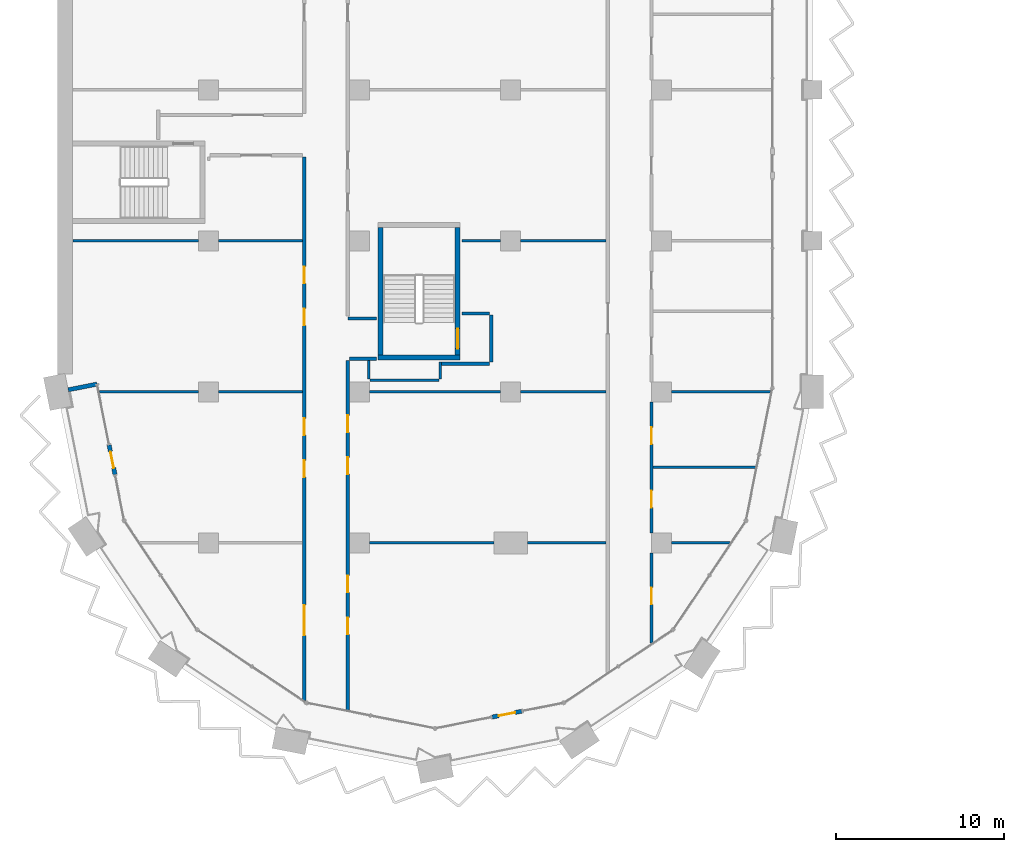
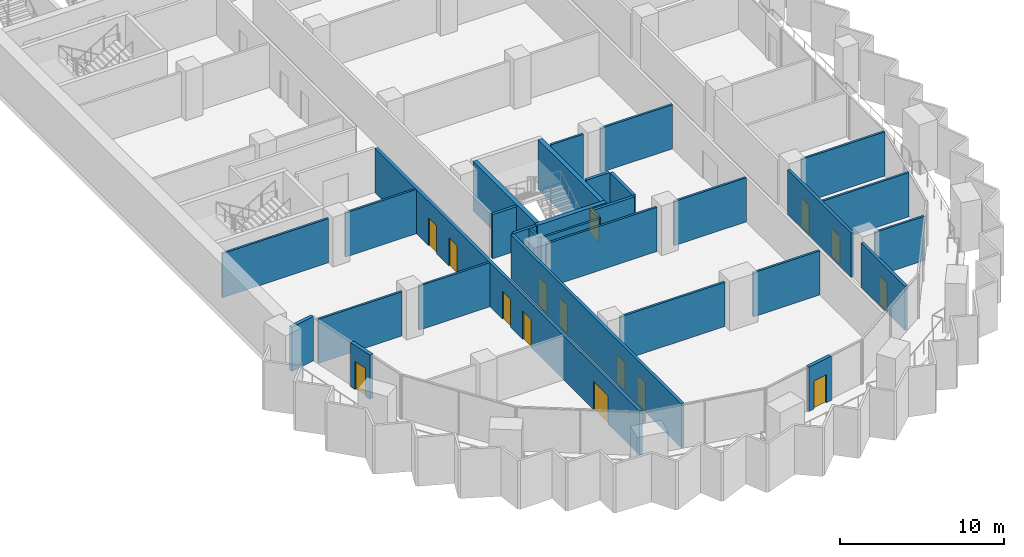
# One storey, part 8 of 22: 31 walls, 15 doors, 15 openings.
"""IFC4 building model written with IfcOpenShell, lengths in metres."""

from ifc_helpers import new_model, si_unit, direction, frame, frame_2d, origin, place, context, subcontext, project, spatial, rectangle, extrude, material, layer, layer_set, type_object, element, fill, save


model = new_model("IFC4")

# Units and contexts
model_context = context("Model", 3, precision=1e-05, world=origin(), true_north=direction((0.0, 1.0)))
body_context = subcontext(model_context, "Body", "Model", "MODEL_VIEW")
ifc_project = project(units=[si_unit("LENGTHUNIT", "METRE"), si_unit("AREAUNIT", "SQUARE_METRE"), si_unit("VOLUMEUNIT", "CUBIC_METRE"), si_unit("PLANEANGLEUNIT", "RADIAN"), si_unit("MASSUNIT", "GRAM", prefix="KILO")], contexts=[model_context])

# Site, building, storey
site_placement = place(None, origin())
site = spatial("IfcSite", under=ifc_project, at=site_placement, CompositionType="ELEMENT")
building_placement = place(site_placement, origin())
building = spatial("IfcBuilding", under=site, at=building_placement, Name="Hunhe Ridgeline Campus", CompositionType="ELEMENT")
storey_placement = place(building_placement, frame((0.0, 0.0, 133.800048828125)))
storey = spatial("IfcBuildingStorey", under=building, at=storey_placement, Name="L33", CompositionType="ELEMENT", Elevation=133.800048828125)

# Walls
ifc_material_1 = material(Name="Concrete C30", Category="concrete")
ifc_layer_1 = layer(ifc_material_1, 0.25)
ifc_layer_set_1 = layer_set([ifc_layer_1], Name="Corner return wall 250 Concrete C30")
wall_type_1 = type_object("IfcWallType", Name="Corner return wall 250 Concrete C30", PredefinedType="SOLIDWALL", material=ifc_layer_set_1)
wall_1_placement = place(storey_placement, frame((0.637451171875, 27.127685546875, 0.0), z_axis=(0.0, 0.0, 1.0), x_axis=(0.980842591884, 0.194801976239, 0.0)))
element("IfcWall", 1, at=wall_1_placement, inside=storey, type_object=wall_type_1, Name="Corner return wall 1", PredefinedType="SOLIDWALL", context=body_context, shape_type="SweptSolid", body=[
    extrude(rectangle(XDim=1.750732421875, YDim=0.25, at=frame_2d((0.87548828125, 0.0))), origin(), (0.0, 0.0, 1.0), 3.300048828125),
])
ifc_material_2 = material(Name="Gypsum board partition")
ifc_layer_2 = layer(ifc_material_2, 0.199951171875)
ifc_layer_set_2 = layer_set([ifc_layer_2], Name="Corridor partition 200 gypsum board on steel studs")
wall_type_2 = type_object("IfcWallType", Name="Corridor partition 200 gypsum board on steel studs", PredefinedType="PARTITIONING", material=ifc_layer_set_2)
wall_2_placement = place(storey_placement, frame((25.75, 28.675048828125, 0.0), z_axis=(0.0, 0.0, 1.0), x_axis=(-1.0, 0.0, 0.0)))
element("IfcWall", 2, at=wall_2_placement, inside=storey, type_object=wall_type_2, Name="F-L33-wall-013", PredefinedType="PARTITIONING", context=body_context, shape_type="SweptSolid", body=[
    extrude(rectangle(XDim=2.875, YDim=0.199951171875, at=frame_2d((1.4375, 0.0))), origin(), (0.0, 0.0, 1.0), 3.300048828125),
])
wall_3_placement = place(storey_placement, frame((18.99609375, 28.97509765625, 0.0), z_axis=(0.0, 0.0, 1.0), x_axis=(-1.0, 0.0, 0.0)))
element("IfcWall", 3, at=wall_3_placement, inside=storey, type_object=wall_type_2, Name="F-L33-wall-014", PredefinedType="PARTITIONING", context=body_context, shape_type="SweptSolid", body=[
    extrude(rectangle(XDim=1.59619140625, YDim=0.199951171875, at=frame_2d((0.798095703125, 0.0))), origin(), (0.0, 0.0, 1.0), 3.300048828125),
])
wall_4_placement = place(storey_placement, frame((17.300048828125, 31.375, 0.0), z_axis=(0.0, 0.0, 1.0), x_axis=(1.0, 0.0, 0.0)))
element("IfcWall", 4, at=wall_4_placement, inside=storey, type_object=wall_type_2, Name="F-L33-wall-015", PredefinedType="PARTITIONING", context=body_context, shape_type="SweptSolid", body=[
    extrude(rectangle(XDim=1.696044921875, YDim=0.199951171875, at=frame_2d((0.84814453125, 0.0))), origin(), (0.0, 0.0, 1.0), 3.300048828125),
])
wall_5_placement = place(storey_placement, frame((24.10400390625, 31.675048828125, 0.0), z_axis=(0.0, 0.0, 1.0), x_axis=(1.0, 0.0, 0.0)))
element("IfcWall", 5, at=wall_5_placement, inside=storey, type_object=wall_type_2, Name="F-L33-wall-016", PredefinedType="PARTITIONING", context=body_context, shape_type="SweptSolid", body=[
    extrude(rectangle(XDim=1.64599609375, YDim=0.199951171875, at=frame_2d((0.822998046875, 0.0))), origin(), (0.0, 0.0, 1.0), 3.300048828125),
])

# Wall, openings, doors
wall_6_placement = place(storey_placement, frame((14.699951171875, 8.623779296875, 0.0), z_axis=(0.0, 0.0, 1.0), x_axis=(0.0, 1.0, 0.0)))
wall_6 = element("IfcWall", 6, at=wall_6_placement, inside=storey, type_object=wall_type_2, Name="F-L33-wall-061", PredefinedType="PARTITIONING", context=body_context, shape_type="SweptSolid", body=[
    extrude(rectangle(XDim=32.376220703125, YDim=0.199951171875, at=frame_2d((16.18798828125, 0.0))), origin(), (0.0, 0.0, 1.0), 3.300048828125),
])
opening_1_placement = place(wall_6_placement, frame((3.86865234375, 0.0, 0.0)))
opening_1 = element("IfcOpeningElement", 7, at=opening_1_placement, cuts=wall_6, Name="Opening RD2-002", PredefinedType="OPENING", context=body_context, shape_type="SweptSolid", body=[
    extrude(rectangle(XDim=1.800048828125, YDim=2.10009765625, at=frame_2d((0.89990234375, 1.050048828125))), frame((0.0, 0.10009765625, 0.0), z_axis=(0.0, -1.0, 0.0), x_axis=(1.0, 0.0, 0.0)), (0.0, 0.0, 1.0), 0.199951171875),
])
opening_2_placement = place(wall_6_placement, frame((13.3037109375, 0.0, 0.0)))
opening_2 = element("IfcOpeningElement", 8, at=opening_2_placement, cuts=wall_6, Name="Opening RD1-006", PredefinedType="OPENING", context=body_context, shape_type="SweptSolid", body=[
    extrude(rectangle(XDim=1.0, YDim=2.10009765625, at=frame_2d((0.5, 1.050048828125))), frame((0.0, 0.10009765625, 0.0), z_axis=(0.0, -1.0, 0.0), x_axis=(1.0, 0.0, 0.0)), (0.0, 0.0, 1.0), 0.199951171875),
])
opening_3_placement = place(wall_6_placement, frame((15.8037109375, 0.0, 0.0)))
opening_3 = element("IfcOpeningElement", 9, at=opening_3_placement, cuts=wall_6, Name="Opening RD1-009", PredefinedType="OPENING", context=body_context, shape_type="SweptSolid", body=[
    extrude(rectangle(XDim=1.0, YDim=2.10009765625, at=frame_2d((0.5, 1.050048828125))), frame((0.0, 0.10009765625, 0.0), z_axis=(0.0, -1.0, 0.0), x_axis=(1.0, 0.0, 0.0)), (0.0, 0.0, 1.0), 0.199951171875),
])
opening_4_placement = place(wall_6_placement, frame((22.339111328125, 0.0, 0.0)))
opening_4 = element("IfcOpeningElement", 10, at=opening_4_placement, cuts=wall_6, Name="Opening RD1-013", PredefinedType="OPENING", context=body_context, shape_type="SweptSolid", body=[
    extrude(rectangle(XDim=1.0, YDim=2.10009765625, at=frame_2d((0.5, 1.050048828125))), frame((0.0, 0.10009765625, 0.0), z_axis=(0.0, -1.0, 0.0), x_axis=(1.0, 0.0, 0.0)), (0.0, 0.0, 1.0), 0.199951171875),
])
opening_5_placement = place(wall_6_placement, frame((24.839111328125, 0.0, 0.0)))
opening_5 = element("IfcOpeningElement", 11, at=opening_5_placement, cuts=wall_6, Name="Opening RD1-015", PredefinedType="OPENING", context=body_context, shape_type="SweptSolid", body=[
    extrude(rectangle(XDim=1.0, YDim=2.10009765625, at=frame_2d((0.5, 1.050048828125))), frame((0.0, 0.10009765625, 0.0), z_axis=(0.0, -1.0, 0.0), x_axis=(1.0, 0.0, 0.0)), (0.0, 0.0, 1.0), 0.199951171875),
])
ifc_material_3 = material(Name="Timber door leaf", Category="wood")
door_type_1 = type_object("IfcDoorType", Name="Double fire door 1800x2100 timber FD60", OperationType="DOUBLE_DOOR_SINGLE_SWING", PredefinedType="DOOR", material=ifc_material_3)
door_1_placement = place(opening_1_placement, origin())
door_1 = element("IfcDoor", 12, at=door_1_placement, inside=storey, type_object=door_type_1, Name="F-L33-door-002", OperationType="DOUBLE_DOOR_SINGLE_SWING", OverallHeight=2.10009765625, OverallWidth=1.800048828125, PredefinedType="DOOR", context=body_context, shape_type="SweptSolid", body=[
    extrude(rectangle(XDim=1.800048828125, YDim=2.10009765625, at=frame_2d((0.89990234375, 1.050048828125))), frame((0.0, 0.02490234375, 0.0), z_axis=(0.0, -1.0, 0.0), x_axis=(1.0, 0.0, 0.0)), (0.0, 0.0, 1.0), 0.050048828125),
])
fill(opening_1, door_1)
door_type_2 = type_object("IfcDoorType", Name="Single fire door 1000x2100 timber FD60", OperationType="NOTDEFINED", PredefinedType="DOOR", material=ifc_material_3)
door_2_placement = place(opening_2_placement, frame((1.0, 0.0, 0.0), z_axis=(0.0, 0.0, 1.0), x_axis=(-1.0, 0.0, 0.0)))
door_2 = element("IfcDoor", 13, at=door_2_placement, inside=storey, type_object=door_type_2, Name="F-L33-door-006", OperationType="SINGLE_SWING_LEFT", OverallHeight=2.10009765625, OverallWidth=1.0, PredefinedType="DOOR", context=body_context, shape_type="SweptSolid", body=[
    extrude(rectangle(XDim=1.0, YDim=2.10009765625, at=frame_2d((0.5, 1.050048828125))), frame((0.0, 0.02490234375, 0.0), z_axis=(0.0, -1.0, 0.0), x_axis=(1.0, 0.0, 0.0)), (0.0, 0.0, 1.0), 0.050048828125),
])
fill(opening_2, door_2)
door_3_placement = place(opening_3_placement, frame((1.0, 0.0, 0.0), z_axis=(0.0, 0.0, 1.0), x_axis=(-1.0, 0.0, 0.0)))
door_3 = element("IfcDoor", 14, at=door_3_placement, inside=storey, type_object=door_type_2, Name="F-L33-door-009", OperationType="SINGLE_SWING_LEFT", OverallHeight=2.10009765625, OverallWidth=1.0, PredefinedType="DOOR", context=body_context, shape_type="SweptSolid", body=[
    extrude(rectangle(XDim=1.0, YDim=2.10009765625, at=frame_2d((0.5, 1.050048828125))), frame((0.0, 0.02490234375, 0.0), z_axis=(0.0, -1.0, 0.0), x_axis=(1.0, 0.0, 0.0)), (0.0, 0.0, 1.0), 0.050048828125),
])
fill(opening_3, door_3)
door_4_placement = place(opening_4_placement, frame((1.0, 0.0, 0.0), z_axis=(0.0, 0.0, 1.0), x_axis=(-1.0, 0.0, 0.0)))
door_4 = element("IfcDoor", 15, at=door_4_placement, inside=storey, type_object=door_type_2, Name="F-L33-door-013", OperationType="SINGLE_SWING_LEFT", OverallHeight=2.10009765625, OverallWidth=1.0, PredefinedType="DOOR", context=body_context, shape_type="SweptSolid", body=[
    extrude(rectangle(XDim=1.0, YDim=2.10009765625, at=frame_2d((0.5, 1.050048828125))), frame((0.0, 0.02490234375, 0.0), z_axis=(0.0, -1.0, 0.0), x_axis=(1.0, 0.0, 0.0)), (0.0, 0.0, 1.0), 0.050048828125),
])
fill(opening_4, door_4)
door_5_placement = place(opening_5_placement, frame((1.0, 0.0, 0.0), z_axis=(0.0, 0.0, 1.0), x_axis=(-1.0, 0.0, 0.0)))
door_5 = element("IfcDoor", 16, at=door_5_placement, inside=storey, type_object=door_type_2, Name="F-L33-door-015", OperationType="SINGLE_SWING_LEFT", OverallHeight=2.10009765625, OverallWidth=1.0, PredefinedType="DOOR", context=body_context, shape_type="SweptSolid", body=[
    extrude(rectangle(XDim=1.0, YDim=2.10009765625, at=frame_2d((0.5, 1.050048828125))), frame((0.0, 0.02490234375, 0.0), z_axis=(0.0, -1.0, 0.0), x_axis=(1.0, 0.0, 0.0)), (0.0, 0.0, 1.0), 0.050048828125),
])
fill(opening_5, door_5)

wall_7_placement = place(storey_placement, frame((17.300048828125, 28.875, 0.0), z_axis=(0.0, 0.0, 1.0), x_axis=(0.0, -1.0, 0.0)))
wall_7 = element("IfcWall", 17, at=wall_7_placement, inside=storey, type_object=wall_type_2, Name="F-L33-wall-063", PredefinedType="PARTITIONING", context=body_context, shape_type="SweptSolid", body=[
    extrude(rectangle(XDim=20.837646484375, YDim=0.199951171875, at=frame_2d((10.4189453125, 0.0))), origin(), (0.0, 0.0, 1.0), 3.300048828125),
])
opening_6_placement = place(wall_7_placement, frame((15.31640625, 0.0, 0.0)))
opening_6 = element("IfcOpeningElement", 18, at=opening_6_placement, cuts=wall_7, Name="Opening RD1-001", PredefinedType="OPENING", context=body_context, shape_type="SweptSolid", body=[
    extrude(rectangle(XDim=1.0, YDim=2.10009765625, at=frame_2d((0.5, 1.050048828125))), frame((0.0, 0.10009765625, 0.0), z_axis=(0.0, -1.0, 0.0), x_axis=(1.0, 0.0, 0.0)), (0.0, 0.0, 1.0), 0.199951171875),
])
opening_7_placement = place(wall_7_placement, frame((12.81640625, 0.0, 0.0)))
opening_7 = element("IfcOpeningElement", 19, at=opening_7_placement, cuts=wall_7, Name="Opening RD1-004", PredefinedType="OPENING", context=body_context, shape_type="SweptSolid", body=[
    extrude(rectangle(XDim=1.0, YDim=2.10009765625, at=frame_2d((0.5, 1.050048828125))), frame((0.0, 0.10009765625, 0.0), z_axis=(0.0, -1.0, 0.0), x_axis=(1.0, 0.0, 0.0)), (0.0, 0.0, 1.0), 0.199951171875),
])
opening_8_placement = place(wall_7_placement, frame((5.7763671875, 0.0, 0.0)))
opening_8 = element("IfcOpeningElement", 20, at=opening_8_placement, cuts=wall_7, Name="Opening RD1-007", PredefinedType="OPENING", context=body_context, shape_type="SweptSolid", body=[
    extrude(rectangle(XDim=1.0, YDim=2.10009765625, at=frame_2d((0.5, 1.050048828125))), frame((0.0, 0.10009765625, 0.0), z_axis=(0.0, -1.0, 0.0), x_axis=(1.0, 0.0, 0.0)), (0.0, 0.0, 1.0), 0.199951171875),
])
opening_9_placement = place(wall_7_placement, frame((3.2763671875, 0.0, 0.0)))
opening_9 = element("IfcOpeningElement", 21, at=opening_9_placement, cuts=wall_7, Name="Opening RD1-010", PredefinedType="OPENING", context=body_context, shape_type="SweptSolid", body=[
    extrude(rectangle(XDim=1.0, YDim=2.10009765625, at=frame_2d((0.5, 1.050048828125))), frame((0.0, 0.10009765625, 0.0), z_axis=(0.0, -1.0, 0.0), x_axis=(1.0, 0.0, 0.0)), (0.0, 0.0, 1.0), 0.199951171875),
])
door_6_placement = place(opening_6_placement, frame((1.0, 0.0, 0.0), z_axis=(0.0, 0.0, 1.0), x_axis=(-1.0, 0.0, 0.0)))
door_6 = element("IfcDoor", 22, at=door_6_placement, inside=storey, type_object=door_type_2, Name="F-L33-door-001", OperationType="SINGLE_SWING_RIGHT", OverallHeight=2.10009765625, OverallWidth=1.0, PredefinedType="DOOR", context=body_context, shape_type="SweptSolid", body=[
    extrude(rectangle(XDim=1.0, YDim=2.10009765625, at=frame_2d((0.5, 1.050048828125))), frame((0.0, 0.02490234375, 0.0), z_axis=(0.0, -1.0, 0.0), x_axis=(1.0, 0.0, 0.0)), (0.0, 0.0, 1.0), 0.050048828125),
])
fill(opening_6, door_6)
door_7_placement = place(opening_7_placement, frame((1.0, 0.0, 0.0), z_axis=(0.0, 0.0, 1.0), x_axis=(-1.0, 0.0, 0.0)))
door_7 = element("IfcDoor", 23, at=door_7_placement, inside=storey, type_object=door_type_2, Name="F-L33-door-004", OperationType="SINGLE_SWING_RIGHT", OverallHeight=2.10009765625, OverallWidth=1.0, PredefinedType="DOOR", context=body_context, shape_type="SweptSolid", body=[
    extrude(rectangle(XDim=1.0, YDim=2.10009765625, at=frame_2d((0.5, 1.050048828125))), frame((0.0, 0.02490234375, 0.0), z_axis=(0.0, -1.0, 0.0), x_axis=(1.0, 0.0, 0.0)), (0.0, 0.0, 1.0), 0.050048828125),
])
fill(opening_7, door_7)
door_8_placement = place(opening_8_placement, frame((1.0, 0.0, 0.0), z_axis=(0.0, 0.0, 1.0), x_axis=(-1.0, 0.0, 0.0)))
door_8 = element("IfcDoor", 24, at=door_8_placement, inside=storey, type_object=door_type_2, Name="F-L33-door-007", OperationType="SINGLE_SWING_RIGHT", OverallHeight=2.10009765625, OverallWidth=1.0, PredefinedType="DOOR", context=body_context, shape_type="SweptSolid", body=[
    extrude(rectangle(XDim=1.0, YDim=2.10009765625, at=frame_2d((0.5, 1.050048828125))), frame((0.0, 0.02490234375, 0.0), z_axis=(0.0, -1.0, 0.0), x_axis=(1.0, 0.0, 0.0)), (0.0, 0.0, 1.0), 0.050048828125),
])
fill(opening_8, door_8)
door_9_placement = place(opening_9_placement, frame((1.0, 0.0, 0.0), z_axis=(0.0, 0.0, 1.0), x_axis=(-1.0, 0.0, 0.0)))
door_9 = element("IfcDoor", 25, at=door_9_placement, inside=storey, type_object=door_type_2, Name="F-L33-door-010", OperationType="SINGLE_SWING_RIGHT", OverallHeight=2.10009765625, OverallWidth=1.0, PredefinedType="DOOR", context=body_context, shape_type="SweptSolid", body=[
    extrude(rectangle(XDim=1.0, YDim=2.10009765625, at=frame_2d((0.5, 1.050048828125))), frame((0.0, 0.02490234375, 0.0), z_axis=(0.0, -1.0, 0.0), x_axis=(1.0, 0.0, 0.0)), (0.0, 0.0, 1.0), 0.050048828125),
])
fill(opening_9, door_9)

# Wall
wall_8_placement = place(storey_placement, frame((25.85009765625, 31.574951171875, 0.0), z_axis=(0.0, 0.0, 1.0), x_axis=(0.0, -1.0, 0.0)))
element("IfcWall", 26, at=wall_8_placement, inside=storey, type_object=wall_type_2, Name="F-L33-wall-067", PredefinedType="PARTITIONING", context=body_context, shape_type="SweptSolid", body=[
    extrude(rectangle(XDim=2.800048828125, YDim=0.199951171875, at=frame_2d((1.39990234375, 0.0))), origin(), (0.0, 0.0, 1.0), 3.300048828125),
])

# Wall, opening, door
wall_9_placement = place(storey_placement, frame((35.39990234375, 17.39990234375, 0.0), z_axis=(0.0, 0.0, 1.0), x_axis=(0.0, -1.0, 0.0)))
wall_9 = element("IfcWall", 27, at=wall_9_placement, inside=storey, type_object=wall_type_2, Name="F-L33-wall-069", PredefinedType="PARTITIONING", context=body_context, shape_type="SweptSolid", body=[
    extrude(rectangle(XDim=5.368408203125, YDim=0.199951171875, at=frame_2d((2.68408203125, 0.0))), origin(), (0.0, 0.0, 1.0), 3.300048828125),
])
opening_10_placement = place(wall_9_placement, frame((2.056396484375, 0.0, 0.0)))
opening_10 = element("IfcOpeningElement", 28, at=opening_10_placement, cuts=wall_9, Name="Opening RD1-003", PredefinedType="OPENING", context=body_context, shape_type="SweptSolid", body=[
    extrude(rectangle(XDim=1.0, YDim=2.10009765625, at=frame_2d((0.5, 1.050048828125))), frame((0.0, 0.10009765625, 0.0), z_axis=(0.0, -1.0, 0.0), x_axis=(1.0, 0.0, 0.0)), (0.0, 0.0, 1.0), 0.199951171875),
])
door_10_placement = place(opening_10_placement, origin())
door_10 = element("IfcDoor", 29, at=door_10_placement, inside=storey, type_object=door_type_2, Name="F-L33-door-003", OperationType="SINGLE_SWING_LEFT", OverallHeight=2.10009765625, OverallWidth=1.0, PredefinedType="DOOR", context=body_context, shape_type="SweptSolid", body=[
    extrude(rectangle(XDim=1.0, YDim=2.10009765625, at=frame_2d((0.5, 1.050048828125))), frame((0.0, 0.02490234375, 0.0), z_axis=(0.0, -1.0, 0.0), x_axis=(1.0, 0.0, 0.0)), (0.0, 0.0, 1.0), 0.050048828125),
])
fill(opening_10, door_10)

# Wall, openings, doors
wall_10_placement = place(storey_placement, frame((35.39990234375, 26.39990234375, 0.0), z_axis=(0.0, 0.0, 1.0), x_axis=(0.0, -1.0, 0.0)))
wall_10 = element("IfcWall", 30, at=wall_10_placement, inside=storey, type_object=wall_type_2, Name="F-L33-wall-070", PredefinedType="PARTITIONING", context=body_context, shape_type="SweptSolid", body=[
    extrude(rectangle(XDim=7.7998046875, YDim=0.199951171875, at=frame_2d((3.89990234375, 0.0))), origin(), (0.0, 0.0, 1.0), 3.300048828125),
])
opening_11_placement = place(wall_10_placement, frame((5.287109375, 0.0, 0.0)))
opening_11 = element("IfcOpeningElement", 31, at=opening_11_placement, cuts=wall_10, Name="Opening RD1-005", PredefinedType="OPENING", context=body_context, shape_type="SweptSolid", body=[
    extrude(rectangle(XDim=1.0, YDim=2.10009765625, at=frame_2d((0.5, 1.050048828125))), frame((0.0, 0.10009765625, 0.0), z_axis=(0.0, -1.0, 0.0), x_axis=(1.0, 0.0, 0.0)), (0.0, 0.0, 1.0), 0.199951171875),
])
opening_12_placement = place(wall_10_placement, frame((1.512939453125, 0.0, 0.0)))
opening_12 = element("IfcOpeningElement", 32, at=opening_12_placement, cuts=wall_10, Name="Opening RD1-008", PredefinedType="OPENING", context=body_context, shape_type="SweptSolid", body=[
    extrude(rectangle(XDim=1.0, YDim=2.10009765625, at=frame_2d((0.5, 1.050048828125))), frame((0.0, 0.10009765625, 0.0), z_axis=(0.0, -1.0, 0.0), x_axis=(1.0, 0.0, 0.0)), (0.0, 0.0, 1.0), 0.199951171875),
])
door_11_placement = place(opening_11_placement, origin())
door_11 = element("IfcDoor", 33, at=door_11_placement, inside=storey, type_object=door_type_2, Name="F-L33-door-005", OperationType="SINGLE_SWING_LEFT", OverallHeight=2.10009765625, OverallWidth=1.0, PredefinedType="DOOR", context=body_context, shape_type="SweptSolid", body=[
    extrude(rectangle(XDim=1.0, YDim=2.10009765625, at=frame_2d((0.5, 1.050048828125))), frame((0.0, 0.02490234375, 0.0), z_axis=(0.0, -1.0, 0.0), x_axis=(1.0, 0.0, 0.0)), (0.0, 0.0, 1.0), 0.050048828125),
])
fill(opening_11, door_11)
door_12_placement = place(opening_12_placement, origin())
door_12 = element("IfcDoor", 34, at=door_12_placement, inside=storey, type_object=door_type_2, Name="F-L33-door-008", OperationType="SINGLE_SWING_LEFT", OverallHeight=2.10009765625, OverallWidth=1.0, PredefinedType="DOOR", context=body_context, shape_type="SweptSolid", body=[
    extrude(rectangle(XDim=1.0, YDim=2.10009765625, at=frame_2d((0.5, 1.050048828125))), frame((0.0, 0.02490234375, 0.0), z_axis=(0.0, -1.0, 0.0), x_axis=(1.0, 0.0, 0.0)), (0.0, 0.0, 1.0), 0.050048828125),
])
fill(opening_12, door_12)

# Wall, opening, door
ifc_layer_3 = layer(ifc_material_1, 0.25)
ifc_layer_set_3 = layer_set([ifc_layer_3], Name="Loggia door pier wall 250 Concrete C30")
wall_type_3 = type_object("IfcWallType", Name="Loggia door pier wall 250 Concrete C30", PredefinedType="SOLIDWALL", material=ifc_layer_set_3)
wall_11_placement = place(storey_placement, frame((3.076904296875, 23.8388671875, 0.0), z_axis=(0.0, 0.0, 1.0), x_axis=(0.195046569833, -0.980793982239, 0.0)))
wall_11 = element("IfcWall", 35, at=wall_11_placement, inside=storey, type_object=wall_type_3, Name="Loggia door pier 1", PredefinedType="SOLIDWALL", context=body_context, shape_type="SweptSolid", body=[
    extrude(rectangle(XDim=1.800048828125, YDim=0.25, at=frame_2d((0.89990234375, 0.0))), origin(), (0.0, 0.0, 1.0), 3.300048828125),
])
opening_13_placement = place(wall_11_placement, frame((0.39990234375, 0.0, 0.0)))
opening_13 = element("IfcOpeningElement", 36, at=opening_13_placement, cuts=wall_11, Name="Opening BD301", PredefinedType="OPENING", context=body_context, shape_type="SweptSolid", body=[
    extrude(rectangle(XDim=1.0, YDim=2.10009765625, at=frame_2d((0.5, 1.050048828125))), frame((0.0, 0.125, 0.0), z_axis=(0.0, -1.0, 0.0), x_axis=(1.0, 0.0, 0.0)), (0.0, 0.0, 1.0), 0.25),
])
ifc_material_4 = material(Name="Aluminium 6063", Category="aluminium")
door_type_3 = type_object("IfcDoorType", Name="Loggia glazed door 1000x2100", OperationType="NOTDEFINED", PredefinedType="DOOR", material=ifc_material_4)
door_13_placement = place(opening_13_placement, frame((1.0, 0.0, 0.0), z_axis=(0.0, 0.0, 1.0), x_axis=(-1.0, 0.0, 0.0)))
door_13 = element("IfcDoor", 37, at=door_13_placement, inside=storey, type_object=door_type_3, Name="Loggia door BD301", OperationType="SINGLE_SWING_RIGHT", OverallHeight=2.10009765625, OverallWidth=1.0, PredefinedType="DOOR", context=body_context, shape_type="SweptSolid", body=[
    extrude(rectangle(XDim=1.0, YDim=2.10009765625, at=frame_2d((0.5, 1.050048828125))), frame((0.0, 0.02490234375, 0.0), z_axis=(0.0, -1.0, 0.0), x_axis=(1.0, 0.0, 0.0)), (0.0, 0.0, 1.0), 0.050048828125),
])
fill(opening_13, door_13)

wall_12_placement = place(storey_placement, frame((25.8955078125, 7.62353515625, 0.0), z_axis=(0.0, 0.0, 1.0), x_axis=(0.980793982239, 0.195046569833, 0.0)))
wall_12 = element("IfcWall", 38, at=wall_12_placement, inside=storey, type_object=wall_type_3, Name="Loggia door pier 2", PredefinedType="SOLIDWALL", context=body_context, shape_type="SweptSolid", body=[
    extrude(rectangle(XDim=1.800048828125, YDim=0.25, at=frame_2d((0.89990234375, 0.0))), origin(), (0.0, 0.0, 1.0), 3.300048828125),
])
opening_14_placement = place(wall_12_placement, frame((0.39990234375, 0.0, 0.0)))
opening_14 = element("IfcOpeningElement", 39, at=opening_14_placement, cuts=wall_12, Name="Opening BD303", PredefinedType="OPENING", context=body_context, shape_type="SweptSolid", body=[
    extrude(rectangle(XDim=1.0, YDim=2.10009765625, at=frame_2d((0.5, 1.050048828125))), frame((0.0, 0.125, 0.0), z_axis=(0.0, -1.0, 0.0), x_axis=(1.0, 0.0, 0.0)), (0.0, 0.0, 1.0), 0.25),
])
door_14_placement = place(opening_14_placement, frame((1.0, 0.0, 0.0), z_axis=(0.0, 0.0, 1.0), x_axis=(-1.0, 0.0, 0.0)))
door_14 = element("IfcDoor", 40, at=door_14_placement, inside=storey, type_object=door_type_3, Name="Loggia door BD303", OperationType="SINGLE_SWING_RIGHT", OverallHeight=2.10009765625, OverallWidth=1.0, PredefinedType="DOOR", context=body_context, shape_type="SweptSolid", body=[
    extrude(rectangle(XDim=1.0, YDim=2.10009765625, at=frame_2d((0.5, 1.050048828125))), frame((0.0, 0.02490234375, 0.0), z_axis=(0.0, -1.0, 0.0), x_axis=(1.0, 0.0, 0.0)), (0.0, 0.0, 1.0), 0.050048828125),
])
fill(opening_14, door_14)

# Walls
ifc_layer_4 = layer(ifc_material_2, 0.14990234375)
ifc_layer_set_4 = layer_set([ifc_layer_4], Name="Room partition 150 gypsum board on steel studs")
wall_type_4 = type_object("IfcWallType", Name="Room partition 150 gypsum board on steel studs", PredefinedType="PARTITIONING", material=ifc_layer_set_4)
wall_13_placement = place(storey_placement, frame((18.60009765625, 18.0, 0.0), z_axis=(0.0, 0.0, 1.0), x_axis=(1.0, 0.0, 0.0)))
element("IfcWall", 41, at=wall_13_placement, inside=storey, type_object=wall_type_4, Name="F-L33-wall-003", PredefinedType="PARTITIONING", context=body_context, shape_type="SweptSolid", body=[
    extrude(rectangle(XDim=7.39990234375, YDim=0.14990234375, at=frame_2d((3.699951171875, 0.0))), origin(), (0.0, 0.0, 1.0), 3.300048828125),
])
wall_14_placement = place(storey_placement, frame((28.0, 18.0, 0.0), z_axis=(0.0, 0.0, 1.0), x_axis=(1.0, 0.0, 0.0)))
element("IfcWall", 42, at=wall_14_placement, inside=storey, type_object=wall_type_4, Name="F-L33-wall-004", PredefinedType="PARTITIONING", context=body_context, shape_type="SweptSolid", body=[
    extrude(rectangle(XDim=4.699951171875, YDim=0.14990234375, at=frame_2d((2.35009765625, 0.0))), origin(), (0.0, 0.0, 1.0), 3.300048828125),
])
wall_15_placement = place(storey_placement, frame((36.60009765625, 18.0, 0.0), z_axis=(0.0, 0.0, 1.0), x_axis=(1.0, 0.0, 0.0)))
element("IfcWall", 43, at=wall_15_placement, inside=storey, type_object=wall_type_4, Name="F-L33-wall-005", PredefinedType="PARTITIONING", context=body_context, shape_type="SweptSolid", body=[
    extrude(rectangle(XDim=3.474365234375, YDim=0.14990234375, at=frame_2d((1.7373046875, 0.0))), origin(), (0.0, 0.0, 1.0), 3.300048828125),
])
wall_16_placement = place(storey_placement, frame((35.5, 22.5, 0.0), z_axis=(0.0, 0.0, 1.0), x_axis=(1.0, 0.0, 0.0)))
element("IfcWall", 44, at=wall_16_placement, inside=storey, type_object=wall_type_4, Name="F-L33-wall-006", PredefinedType="PARTITIONING", context=body_context, shape_type="SweptSolid", body=[
    extrude(rectangle(XDim=6.101806640625, YDim=0.14990234375, at=frame_2d((3.05078125, 0.0))), origin(), (0.0, 0.0, 1.0), 3.300048828125),
])
wall_17_placement = place(storey_placement, frame((2.503173828125, 27.0, 0.0), z_axis=(0.0, 0.0, 1.0), x_axis=(1.0, 0.0, 0.0)))
element("IfcWall", 45, at=wall_17_placement, inside=storey, type_object=wall_type_4, Name="F-L33-wall-007", PredefinedType="PARTITIONING", context=body_context, shape_type="SweptSolid", body=[
    extrude(rectangle(XDim=5.896728515625, YDim=0.14990234375, at=frame_2d((2.9482421875, 0.0))), origin(), (0.0, 0.0, 1.0), 3.300048828125),
])
wall_18_placement = place(storey_placement, frame((9.60009765625, 27.0, 0.0), z_axis=(0.0, 0.0, 1.0), x_axis=(1.0, 0.0, 0.0)))
element("IfcWall", 46, at=wall_18_placement, inside=storey, type_object=wall_type_4, Name="F-L33-wall-008", PredefinedType="PARTITIONING", context=body_context, shape_type="SweptSolid", body=[
    extrude(rectangle(XDim=5.0, YDim=0.14990234375, at=frame_2d((2.5, 0.0))), origin(), (0.0, 0.0, 1.0), 3.300048828125),
])
wall_19_placement = place(storey_placement, frame((18.60009765625, 27.0, 0.0), z_axis=(0.0, 0.0, 1.0), x_axis=(1.0, 0.0, 0.0)))
element("IfcWall", 47, at=wall_19_placement, inside=storey, type_object=wall_type_4, Name="F-L33-wall-009", PredefinedType="PARTITIONING", context=body_context, shape_type="SweptSolid", body=[
    extrude(rectangle(XDim=7.7998046875, YDim=0.14990234375, at=frame_2d((3.89990234375, 0.0))), origin(), (0.0, 0.0, 1.0), 3.300048828125),
])
wall_20_placement = place(storey_placement, frame((27.60009765625, 27.0, 0.0), z_axis=(0.0, 0.0, 1.0), x_axis=(1.0, 0.0, 0.0)))
element("IfcWall", 48, at=wall_20_placement, inside=storey, type_object=wall_type_4, Name="F-L33-wall-010", PredefinedType="PARTITIONING", context=body_context, shape_type="SweptSolid", body=[
    extrude(rectangle(XDim=5.099853515625, YDim=0.14990234375, at=frame_2d((2.5498046875, 0.0))), origin(), (0.0, 0.0, 1.0), 3.300048828125),
])
wall_21_placement = place(storey_placement, frame((36.60009765625, 27.0, 0.0), z_axis=(0.0, 0.0, 1.0), x_axis=(1.0, 0.0, 0.0)))
element("IfcWall", 49, at=wall_21_placement, inside=storey, type_object=wall_type_4, Name="F-L33-wall-011", PredefinedType="PARTITIONING", context=body_context, shape_type="SweptSolid", body=[
    extrude(rectangle(XDim=5.896728515625, YDim=0.14990234375, at=frame_2d((2.9482421875, 0.0))), origin(), (0.0, 0.0, 1.0), 3.300048828125),
])
wall_22_placement = place(storey_placement, frame((18.625, 27.68994140625, 0.0), z_axis=(0.0, 0.0, 1.0), x_axis=(1.0, 0.0, 0.0)))
element("IfcWall", 50, at=wall_22_placement, inside=storey, type_object=wall_type_4, Name="F-L33-wall-012", PredefinedType="PARTITIONING", context=body_context, shape_type="SweptSolid", body=[
    extrude(rectangle(XDim=4.10009765625, YDim=0.14990234375, at=frame_2d((2.050048828125, 0.0))), origin(), (0.0, 0.0, 1.0), 3.300048828125),
])
wall_23_placement = place(storey_placement, frame((0.919921875, 36.0, 0.0), z_axis=(0.0, 0.0, 1.0), x_axis=(1.0, 0.0, 0.0)))
element("IfcWall", 51, at=wall_23_placement, inside=storey, type_object=wall_type_4, Name="F-L33-wall-018", PredefinedType="PARTITIONING", context=body_context, shape_type="SweptSolid", body=[
    extrude(rectangle(XDim=7.47998046875, YDim=0.14990234375, at=frame_2d((3.739990234375, 0.0))), origin(), (0.0, 0.0, 1.0), 3.300048828125),
])
wall_24_placement = place(storey_placement, frame((9.60009765625, 36.0, 0.0), z_axis=(0.0, 0.0, 1.0), x_axis=(1.0, 0.0, 0.0)))
element("IfcWall", 52, at=wall_24_placement, inside=storey, type_object=wall_type_4, Name="F-L33-wall-019", PredefinedType="PARTITIONING", context=body_context, shape_type="SweptSolid", body=[
    extrude(rectangle(XDim=5.0, YDim=0.14990234375, at=frame_2d((2.5, 0.0))), origin(), (0.0, 0.0, 1.0), 3.300048828125),
])
wall_25_placement = place(storey_placement, frame((24.10400390625, 36.0, 0.0), z_axis=(0.0, 0.0, 1.0), x_axis=(1.0, 0.0, 0.0)))
element("IfcWall", 53, at=wall_25_placement, inside=storey, type_object=wall_type_4, Name="F-L33-wall-020", PredefinedType="PARTITIONING", context=body_context, shape_type="SweptSolid", body=[
    extrude(rectangle(XDim=2.2958984375, YDim=0.14990234375, at=frame_2d((1.14794921875, 0.0))), origin(), (0.0, 0.0, 1.0), 3.300048828125),
])
wall_26_placement = place(storey_placement, frame((27.60009765625, 36.0, 0.0), z_axis=(0.0, 0.0, 1.0), x_axis=(1.0, 0.0, 0.0)))
element("IfcWall", 54, at=wall_26_placement, inside=storey, type_object=wall_type_4, Name="F-L33-wall-021", PredefinedType="PARTITIONING", context=body_context, shape_type="SweptSolid", body=[
    extrude(rectangle(XDim=5.099853515625, YDim=0.14990234375, at=frame_2d((2.5498046875, 0.0))), origin(), (0.0, 0.0, 1.0), 3.300048828125),
])
wall_27_placement = place(storey_placement, frame((18.550048828125, 28.875, 0.0), z_axis=(0.0, 0.0, 1.0), x_axis=(0.0, -1.0, 0.0)))
element("IfcWall", 55, at=wall_27_placement, inside=storey, type_object=wall_type_4, Name="F-L33-wall-065", PredefinedType="PARTITIONING", context=body_context, shape_type="SweptSolid", body=[
    extrude(rectangle(XDim=1.110107421875, YDim=0.14990234375, at=frame_2d((0.55517578125, 0.0))), origin(), (0.0, 0.0, 1.0), 3.300048828125),
])
wall_28_placement = place(storey_placement, frame((22.800048828125, 28.7958984375, 0.0), z_axis=(0.0, 0.0, 1.0), x_axis=(0.0, -1.0, 0.0)))
element("IfcWall", 56, at=wall_28_placement, inside=storey, type_object=wall_type_4, Name="F-L33-wall-066", PredefinedType="PARTITIONING", context=body_context, shape_type="SweptSolid", body=[
    extrude(rectangle(XDim=1.031005859375, YDim=0.14990234375, at=frame_2d((0.515625, 0.0))), origin(), (0.0, 0.0, 1.0), 3.300048828125),
])
ifc_material_5 = material(Name="Concrete C70", Category="concrete")
ifc_layer_5 = layer(ifc_material_5, 0.300048828125)
ifc_layer_set_5 = layer_set([ifc_layer_5], Name="Stair wall 300 reinforced concrete C70")
wall_type_5 = type_object("IfcWallType", Name="Stair wall 300 reinforced concrete C70", PredefinedType="SOLIDWALL", material=ifc_layer_set_5)
wall_29_placement = place(storey_placement, frame((19.10009765625, 29.050048828125, -0.400146484375), z_axis=(0.0, 0.0, 1.0), x_axis=(1.0, 0.0, 0.0)))
element("IfcWall", 57, at=wall_29_placement, inside=storey, type_object=wall_type_5, Name="L33 core wall 1", PredefinedType="SOLIDWALL", context=body_context, shape_type="SweptSolid", body=[
    extrude(rectangle(XDim=4.89990234375, YDim=0.300048828125, at=frame_2d((2.449951171875, 0.0))), origin(), (0.0, 0.0, 1.0), 3.7001953125),
])
wall_30_placement = place(storey_placement, frame((19.25, 29.199951171875, -0.400146484375), z_axis=(0.0, 0.0, 1.0), x_axis=(0.0, 1.0, 0.0)))
element("IfcWall", 58, at=wall_30_placement, inside=storey, type_object=wall_type_5, Name="L33 core wall 46", PredefinedType="SOLIDWALL", context=body_context, shape_type="SweptSolid", body=[
    extrude(rectangle(XDim=7.60009765625, YDim=0.300048828125, at=frame_2d((3.800048828125, 0.0))), origin(), (0.0, 0.0, 1.0), 3.7001953125),
])

# Wall, opening, door
wall_31_placement = place(storey_placement, frame((23.85009765625, 29.199951171875, -0.400146484375), z_axis=(0.0, 0.0, 1.0), x_axis=(0.0, 1.0, 0.0)))
wall_31 = element("IfcWall", 59, at=wall_31_placement, inside=storey, type_object=wall_type_5, Name="L33 core wall 51", PredefinedType="SOLIDWALL", context=body_context, shape_type="SweptSolid", body=[
    extrude(rectangle(XDim=7.60009765625, YDim=0.300048828125, at=frame_2d((3.800048828125, 0.0))), origin(), (0.0, 0.0, 1.0), 3.7001953125),
])
opening_15_placement = place(wall_31_placement, frame((0.375, 0.0, 0.39990234375)))
opening_15 = element("IfcOpeningElement", 60, at=opening_15_placement, cuts=wall_31, Name="Opening CD23", PredefinedType="OPENING", context=body_context, shape_type="SweptSolid", body=[
    extrude(rectangle(XDim=1.199951171875, YDim=2.10009765625, at=frame_2d((0.60009765625, 1.050048828125))), frame((0.0, 0.14990234375, 0.0), z_axis=(0.0, -1.0, 0.0), x_axis=(1.0, 0.0, 0.0)), (0.0, 0.0, 1.0), 0.300048828125),
])
ifc_material_6 = material(Name="Hollow metal fire door leaf")
door_type_4 = type_object("IfcDoorType", Name="Stair door 1200x2100 FD60", OperationType="SINGLE_SWING_LEFT", PredefinedType="DOOR", material=ifc_material_6)
door_15_placement = place(opening_15_placement, frame((1.199951171875, 0.0, 0.0), z_axis=(0.0, 0.0, 1.0), x_axis=(-1.0, 0.0, 0.0)))
door_15 = element("IfcDoor", 61, at=door_15_placement, inside=storey, type_object=door_type_4, Name="L33 door W3", OperationType="SINGLE_SWING_RIGHT", OverallHeight=2.10009765625, OverallWidth=1.199951171875, PredefinedType="DOOR", context=body_context, shape_type="SweptSolid", body=[
    extrude(rectangle(XDim=1.199951171875, YDim=2.10009765625, at=frame_2d((0.60009765625, 1.050048828125))), frame((0.0, 0.02490234375, 0.0), z_axis=(0.0, -1.0, 0.0), x_axis=(1.0, 0.0, 0.0)), (0.0, 0.0, 1.0), 0.050048828125),
])
fill(opening_15, door_15)

save(model, "model.ifc")
